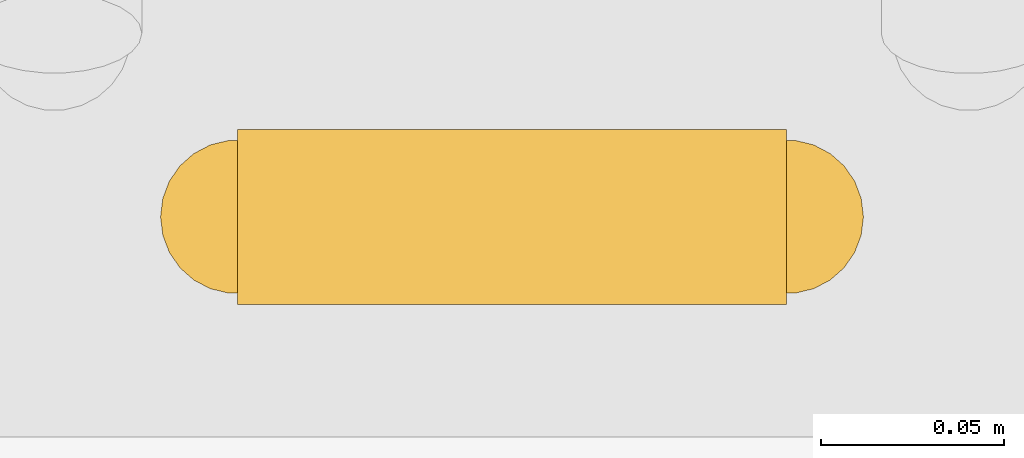
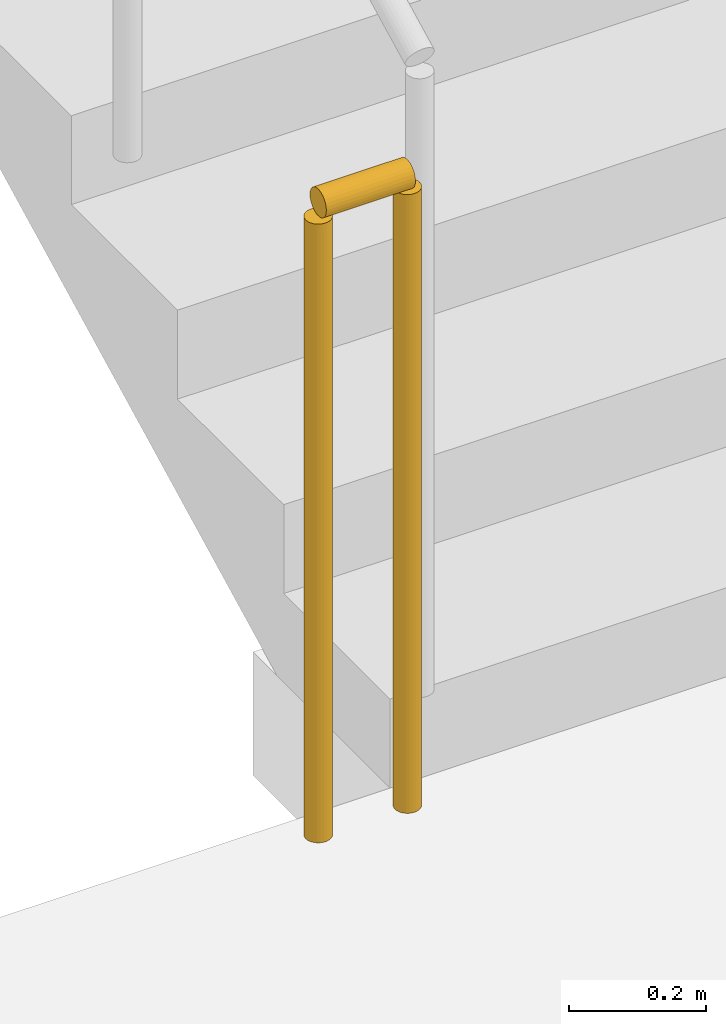
# One storey, part 15 of 18: 1 railing.
"""IFC4 building model written with IfcOpenShell, lengths in metres."""

from ifc_helpers import new_model, si_unit, direction, frame, origin, origin_2d, place, context, subcontext, project, spatial, circle, extrude, material, type_object, element, save


model = new_model("IFC4")

# Units and contexts
model_context = context("Model", 3, precision=1e-05, world=origin(), true_north=direction((0.0, 1.0)))
body_context = subcontext(model_context, "Body", "Model", "MODEL_VIEW")
ifc_project = project(units=[si_unit("LENGTHUNIT", "METRE"), si_unit("AREAUNIT", "SQUARE_METRE"), si_unit("VOLUMEUNIT", "CUBIC_METRE"), si_unit("PLANEANGLEUNIT", "RADIAN"), si_unit("MASSUNIT", "GRAM", prefix="KILO")], contexts=[model_context])

# Site, building, storey
site_placement = place(None, origin())
site = spatial("IfcSite", under=ifc_project, at=site_placement, CompositionType="ELEMENT")
building_placement = place(site_placement, origin())
building = spatial("IfcBuilding", under=site, at=building_placement, Name="Vaeldorn Concourse Tower", CompositionType="ELEMENT")
storey_placement = place(building_placement, frame((0.0, 0.0, 246.0)))
storey = spatial("IfcBuildingStorey", under=building, at=storey_placement, Name="L63", CompositionType="ELEMENT", Elevation=246.0)

# Railing
ifc_material = material(Name="Anodised Bronze Aluminium", Category="aluminium")
railing_type = type_object("IfcRailingType", Name="RL-STAIR-GUARD", PredefinedType="GUARDRAIL", material=ifc_material)
railing_placement = place(storey_placement, frame((51.35009765625, 41.550048828125, 0.0)))
element("IfcRailing", 1, at=railing_placement, inside=storey, type_object=railing_type, Name="L63 ST-2 stair guard 4", PredefinedType="GUARDRAIL", context=body_context, shape_type="SweptSolid", body=[
    extrude(circle(Radius=0.02392578125, at=origin_2d()), frame((0.0, 0.0, 1.1259765625), z_axis=(-1.0, 0.0, 0.0), x_axis=(0.0, -1.0, 0.0)), (0.0, 0.0, 1.0), 0.150146484375),
    extrude(circle(Radius=0.02099609375, at=origin_2d()), origin(), (0.0, 0.0, 1.0), 1.101806640625),
    extrude(circle(Radius=0.02099609375, at=origin_2d()), frame((-0.150146484375, 0.0, 0.0)), (0.0, 0.0, 1.0), 1.101806640625),
])

save(model, "model.ifc")
